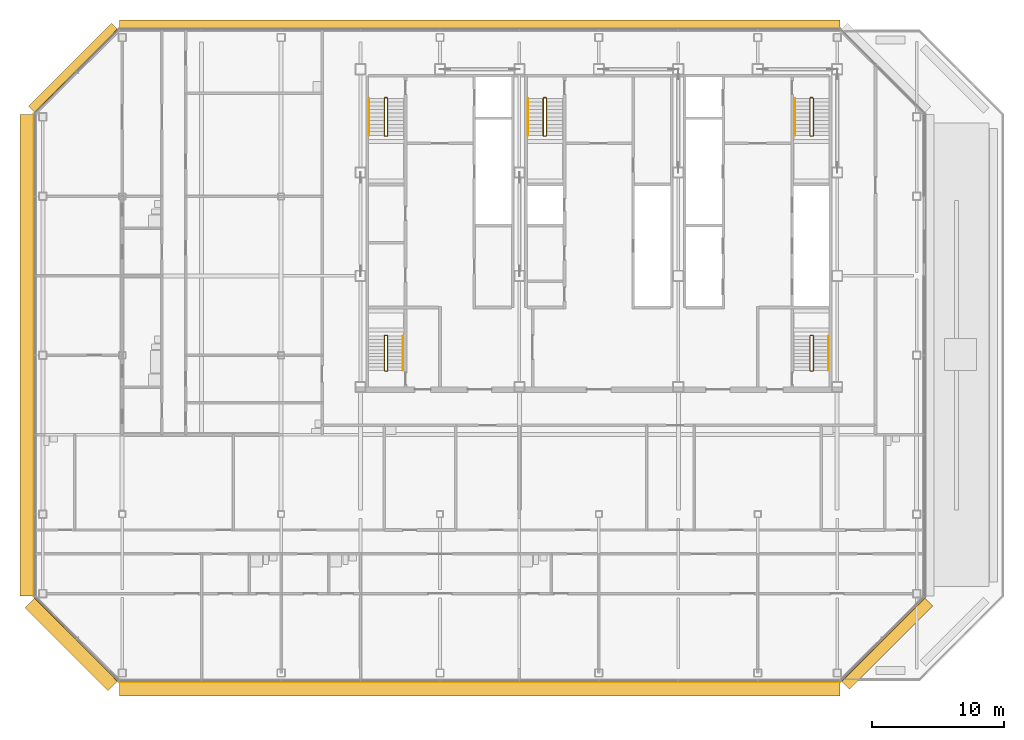
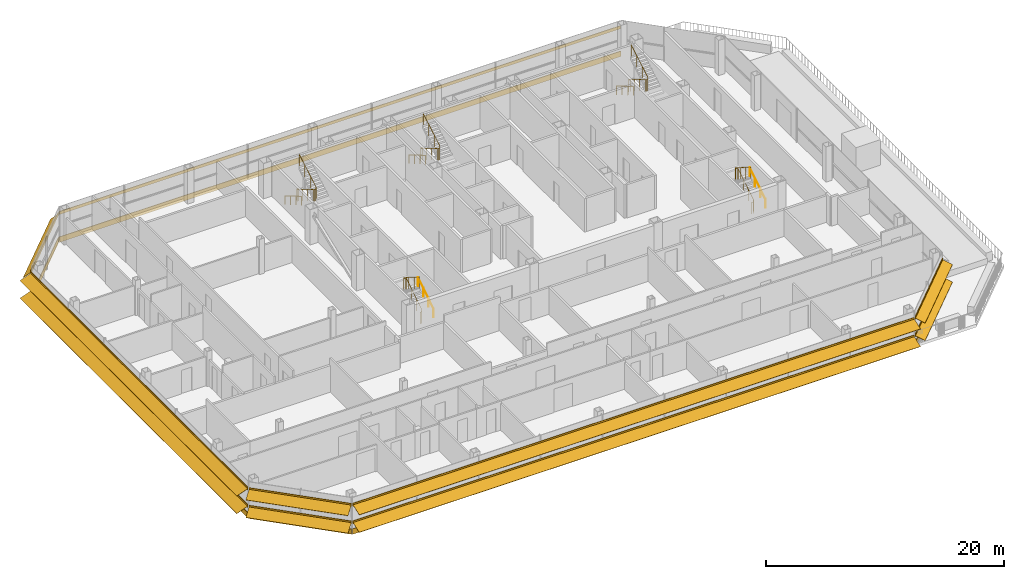
# One storey, part 25 of 28: 10 railings, 6 coverings, 6 shading devices.
"""IFC4 building model written with IfcOpenShell, lengths in metres."""

from ifc_helpers import new_model, si_unit, direction, frame, origin, origin_2d, place, context, subcontext, project, spatial, polyline, circle, outline, composite_profile, extrude, material, layer, layer_set, type_object, element, save


model = new_model("IFC4")

# Units and contexts
model_context = context("Model", 3, precision=1e-05, world=origin(), true_north=direction((0.0, 1.0)))
body_context = subcontext(model_context, "Body", "Model", "MODEL_VIEW")
ifc_project = project(units=[si_unit("LENGTHUNIT", "METRE"), si_unit("AREAUNIT", "SQUARE_METRE"), si_unit("VOLUMEUNIT", "CUBIC_METRE"), si_unit("PLANEANGLEUNIT", "RADIAN"), si_unit("MASSUNIT", "GRAM", prefix="KILO")], contexts=[model_context])

# Site, building, storey
site_placement = place(None, origin())
site = spatial("IfcSite", under=ifc_project, at=site_placement, CompositionType="ELEMENT")
building_placement = place(site_placement, origin())
building = spatial("IfcBuilding", under=site, at=building_placement, Name="Sorahane Residences", CompositionType="ELEMENT")
storey_placement = place(building_placement, frame((0.0, 0.0, 290.800048828125)))
storey = spatial("IfcBuildingStorey", under=building, at=storey_placement, Name="L68", CompositionType="ELEMENT", Elevation=290.800048828125)

# Shading devices
ifc_material_1 = material(Name="Terracotta anodised aluminium", Category="masonry")
shading_device_type_1 = type_object("IfcShadingDeviceType", Name="Louvre sunshade blade N terracotta aluminium 700", PredefinedType="JALOUSIE", material=ifc_material_1)
shading_device_1_placement = place(storey_placement, frame((42.198486328125, 48.60009765625, 2.699951171875), z_axis=(-1.0, 0.0, 0.0), x_axis=(0.0, -1.0, 0.0)))
element("IfcShadingDevice", 1, at=shading_device_1_placement, inside=storey, type_object=shading_device_type_1, Name="Louvre sunshade blade bank N L68 N1", PredefinedType="JALOUSIE", context=body_context, shape_type="SweptSolid", body=[
    extrude(outline(polyline([(-0.719970703125, -0.660888671875), (-0.719970703125, -0.69091796875), (-0.080078125, -0.072998046875), (-0.080078125, -0.14990234375), (-0.02001953125, -0.14990234375), (-0.02001953125, -0.014892578125), (-0.02001953125, 0.014892578125), (-0.02001953125, 0.14990234375), (-0.080078125, 0.14990234375), (-0.080078125, -0.04296875), (-0.719970703125, -0.660888671875)])), origin(), (0.0, 0.0, 1.0), 54.39697265625),
])
ifc_material_2 = material(Name="Terracotta anodised aluminium", Category="masonry")
shading_device_type_2 = type_object("IfcShadingDeviceType", Name="Louvre sunshade blade NW terracotta aluminium 700", PredefinedType="JALOUSIE", material=ifc_material_2)
shading_device_2_placement = place(storey_placement, frame((-12.283935546875, 48.564697265625, 2.699951171875), z_axis=(-0.707106781187, -0.707106781187, 0.0), x_axis=(0.707106781187, -0.707106781187, 0.0)))
element("IfcShadingDevice", 2, at=shading_device_2_placement, inside=storey, type_object=shading_device_type_2, Name="Louvre sunshade blade bank NW L68 NW1", PredefinedType="JALOUSIE", context=body_context, shape_type="SweptSolid", body=[
    extrude(outline(polyline([(-0.719970703125, -0.660888671875), (-0.719970703125, -0.69091796875), (-0.080078125, -0.072998046875), (-0.080078125, -0.14990234375), (-0.02001953125, -0.14990234375), (-0.02001953125, -0.014892578125), (-0.02001953125, 0.014892578125), (-0.02001953125, 0.14990234375), (-0.080078125, 0.14990234375), (-0.080078125, -0.04296875), (-0.719970703125, -0.660888671875)])), origin(), (0.0, 0.0, 1.0), 8.88232421875),
])
ifc_material_3 = material(Name="Terracotta anodised aluminium", Category="masonry")
shading_device_type_3 = type_object("IfcShadingDeviceType", Name="Louvre sunshade blade S terracotta aluminium 1100", PredefinedType="JALOUSIE", material=ifc_material_3)
shading_device_3_placement = place(storey_placement, frame((-12.198486328125, -0.60009765625, 0.89990234375), z_axis=(1.0, 0.0, 0.0), x_axis=(0.0, 1.0, 0.0)))
element("IfcShadingDevice", 3, at=shading_device_3_placement, inside=storey, type_object=shading_device_type_3, Name="Louvre sunshade blade bank S L68 S1", PredefinedType="JALOUSIE", context=body_context, shape_type="SweptSolid", body=[
    extrude(composite_profile([outline(polyline([(-1.1201171875, -0.385498046875), (-1.1201171875, -0.415283203125), (-0.080078125, -0.036865234375), (-0.080078125, -0.14990234375), (-0.02001953125, -0.14990234375), (-0.02001953125, -0.014892578125), (-0.02001953125, 0.014892578125), (-0.02001953125, 0.14990234375), (-0.080078125, 0.14990234375), (-0.080078125, -0.0068359375), (-1.1201171875, -0.385498046875)])), outline(polyline([(-1.1201171875, 1.41455078125), (-1.1201171875, 1.384521484375), (-0.080078125, 1.76318359375), (-0.080078125, 1.64990234375), (-0.02001953125, 1.64990234375), (-0.02001953125, 1.784912109375), (-0.02001953125, 1.81494140625), (-0.02001953125, 1.949951171875), (-0.080078125, 1.949951171875), (-0.080078125, 1.793212890625), (-1.1201171875, 1.41455078125)]))]), origin(), (0.0, 0.0, 1.0), 54.39697265625),
])
ifc_material_4 = material(Name="Terracotta anodised aluminium", Category="masonry")
shading_device_type_4 = type_object("IfcShadingDeviceType", Name="Louvre sunshade blade SE terracotta aluminium 900", PredefinedType="JALOUSIE", material=ifc_material_4)
shading_device_4_placement = place(storey_placement, frame((42.283935546875, -0.564697265625, 0.89990234375), z_axis=(0.707106781187, 0.707106781187, 0.0), x_axis=(-0.707106781187, 0.707106781187, 0.0)))
element("IfcShadingDevice", 4, at=shading_device_4_placement, inside=storey, type_object=shading_device_type_4, Name="Louvre sunshade blade bank SE L68 SE1", PredefinedType="JALOUSIE", context=body_context, shape_type="SweptSolid", body=[
    extrude(composite_profile([outline(polyline([(-0.919921875, -0.3486328125), (-0.919921875, -0.378662109375), (-0.080078125, -0.039306640625), (-0.080078125, -0.14990234375), (-0.02001953125, -0.14990234375), (-0.02001953125, -0.014892578125), (-0.02001953125, 0.014892578125), (-0.02001953125, 0.14990234375), (-0.080078125, 0.14990234375), (-0.080078125, -0.00927734375), (-0.919921875, -0.3486328125)])), outline(polyline([(-0.919921875, 1.451416015625), (-0.919921875, 1.42138671875), (-0.080078125, 1.7607421875), (-0.080078125, 1.64990234375), (-0.02001953125, 1.64990234375), (-0.02001953125, 1.784912109375), (-0.02001953125, 1.81494140625), (-0.02001953125, 1.949951171875), (-0.080078125, 1.949951171875), (-0.080078125, 1.790771484375), (-0.919921875, 1.451416015625)]))]), origin(), (0.0, 0.0, 1.0), 8.88232421875),
])
ifc_material_5 = material(Name="Terracotta anodised aluminium", Category="masonry")
shading_device_type_5 = type_object("IfcShadingDeviceType", Name="Louvre sunshade blade SW terracotta aluminium 1100", PredefinedType="JALOUSIE", material=ifc_material_5)
shading_device_5_placement = place(storey_placement, frame((-18.564697265625, 5.716064453125, 0.89990234375), z_axis=(0.707106781187, -0.707106781187, 0.0), x_axis=(0.707106781187, 0.707106781187, 0.0)))
element("IfcShadingDevice", 5, at=shading_device_5_placement, inside=storey, type_object=shading_device_type_5, Name="Louvre sunshade blade bank SW L68 SW1", PredefinedType="JALOUSIE", context=body_context, shape_type="SweptSolid", body=[
    extrude(composite_profile([outline(polyline([(-1.1201171875, -0.385498046875), (-1.1201171875, -0.415283203125), (-0.080078125, -0.036865234375), (-0.080078125, -0.14990234375), (-0.02001953125, -0.14990234375), (-0.02001953125, -0.014892578125), (-0.02001953125, 0.014892578125), (-0.02001953125, 0.14990234375), (-0.080078125, 0.14990234375), (-0.080078125, -0.0068359375), (-1.1201171875, -0.385498046875)])), outline(polyline([(-1.1201171875, 1.41455078125), (-1.1201171875, 1.384521484375), (-0.080078125, 1.76318359375), (-0.080078125, 1.64990234375), (-0.02001953125, 1.64990234375), (-0.02001953125, 1.784912109375), (-0.02001953125, 1.81494140625), (-0.02001953125, 1.949951171875), (-0.080078125, 1.949951171875), (-0.080078125, 1.793212890625), (-1.1201171875, 1.41455078125)]))]), origin(), (0.0, 0.0, 1.0), 8.88232421875),
])
ifc_material_6 = material(Name="Terracotta anodised aluminium", Category="masonry")
shading_device_type_6 = type_object("IfcShadingDeviceType", Name="Louvre sunshade blade W terracotta aluminium 1100", PredefinedType="JALOUSIE", material=ifc_material_6)
shading_device_6_placement = place(storey_placement, frame((-18.60009765625, 42.198486328125, 0.89990234375), z_axis=(0.0, -1.0, 0.0), x_axis=(1.0, 0.0, 0.0)))
element("IfcShadingDevice", 6, at=shading_device_6_placement, inside=storey, type_object=shading_device_type_6, Name="Louvre sunshade blade bank W L68 W1", PredefinedType="JALOUSIE", context=body_context, shape_type="SweptSolid", body=[
    extrude(composite_profile([outline(polyline([(-1.1201171875, -0.385498046875), (-1.1201171875, -0.415283203125), (-0.080078125, -0.036865234375), (-0.080078125, -0.14990234375), (-0.02001953125, -0.14990234375), (-0.02001953125, -0.014892578125), (-0.02001953125, 0.014892578125), (-0.02001953125, 0.14990234375), (-0.080078125, 0.14990234375), (-0.080078125, -0.0068359375), (-1.1201171875, -0.385498046875)])), outline(polyline([(-1.1201171875, 1.41455078125), (-1.1201171875, 1.384521484375), (-0.080078125, 1.76318359375), (-0.080078125, 1.64990234375), (-0.02001953125, 1.64990234375), (-0.02001953125, 1.784912109375), (-0.02001953125, 1.81494140625), (-0.02001953125, 1.949951171875), (-0.080078125, 1.949951171875), (-0.080078125, 1.793212890625), (-1.1201171875, 1.41455078125)]))]), origin(), (0.0, 0.0, 1.0), 36.39697265625),
])

# Coverings
ifc_material_7 = material(Name="White painted aluminium cladding", Category="aluminium")
ifc_layer = layer(ifc_material_7, 0.06005859375)
ifc_layer_set = layer_set([ifc_layer], Name="Slab edge fascia band white painted aluminium 550")
covering_type = type_object("IfcCoveringType", Name="Slab edge fascia band white painted aluminium 550", PredefinedType="CLADDING", material=ifc_layer_set)
covering_1_placement = place(storey_placement, frame((-12.228515625, -0.60009765625, -0.025146484375), z_axis=(1.0, 0.0, 0.0), x_axis=(0.0, 1.0, 0.0)))
element("IfcCovering", 7, at=covering_1_placement, inside=storey, type_object=covering_type, Name="Slab edge fascia white L68 S1", PredefinedType="CLADDING", context=body_context, shape_type="SweptSolid", body=[
    extrude(outline(polyline([(-0.02001953125, 0.27490234375), (-0.080078125, 0.27490234375), (-0.080078125, -0.27490234375), (-0.02001953125, -0.27490234375), (-0.02001953125, 0.27490234375)])), origin(), (0.0, 0.0, 1.0), 54.45703125),
])
covering_2_placement = place(storey_placement, frame((42.2626953125, -0.5859375, -0.025146484375), z_axis=(0.707106781187, 0.707106781187, 0.0), x_axis=(-0.707106781187, 0.707106781187, 0.0)))
element("IfcCovering", 8, at=covering_2_placement, inside=storey, type_object=covering_type, Name="Slab edge fascia white L68 SE1", PredefinedType="CLADDING", context=body_context, shape_type="SweptSolid", body=[
    extrude(outline(polyline([(-0.02001953125, 0.27490234375), (-0.080078125, 0.27490234375), (-0.080078125, -0.27490234375), (-0.02001953125, -0.27490234375), (-0.02001953125, 0.27490234375)])), origin(), (0.0, 0.0, 1.0), 8.9423828125),
])
covering_3_placement = place(storey_placement, frame((42.228515625, 48.60009765625, -0.025146484375), z_axis=(-1.0, 0.0, 0.0), x_axis=(0.0, -1.0, 0.0)))
element("IfcCovering", 9, at=covering_3_placement, inside=storey, type_object=covering_type, Name="Slab edge fascia white L68 N1", PredefinedType="CLADDING", context=body_context, shape_type="SweptSolid", body=[
    extrude(outline(polyline([(-0.02001953125, 0.27490234375), (-0.080078125, 0.27490234375), (-0.080078125, -0.27490234375), (-0.02001953125, -0.27490234375), (-0.02001953125, 0.27490234375)])), origin(), (0.0, 0.0, 1.0), 54.45703125),
])
covering_4_placement = place(storey_placement, frame((-12.2626953125, 48.5859375, -0.025146484375), z_axis=(-0.707106781187, -0.707106781187, 0.0), x_axis=(0.707106781187, -0.707106781187, 0.0)))
element("IfcCovering", 10, at=covering_4_placement, inside=storey, type_object=covering_type, Name="Slab edge fascia white L68 NW1", PredefinedType="CLADDING", context=body_context, shape_type="SweptSolid", body=[
    extrude(outline(polyline([(-0.02001953125, 0.27490234375), (-0.080078125, 0.27490234375), (-0.080078125, -0.27490234375), (-0.02001953125, -0.27490234375), (-0.02001953125, 0.27490234375)])), origin(), (0.0, 0.0, 1.0), 8.9423828125),
])
covering_5_placement = place(storey_placement, frame((-18.60009765625, 42.228515625, -0.025146484375), z_axis=(0.0, -1.0, 0.0), x_axis=(1.0, 0.0, 0.0)))
element("IfcCovering", 11, at=covering_5_placement, inside=storey, type_object=covering_type, Name="Slab edge fascia white L68 W1", PredefinedType="CLADDING", context=body_context, shape_type="SweptSolid", body=[
    extrude(outline(polyline([(-0.02001953125, 0.27490234375), (-0.080078125, 0.27490234375), (-0.080078125, -0.27490234375), (-0.02001953125, -0.27490234375), (-0.02001953125, 0.27490234375)])), origin(), (0.0, 0.0, 1.0), 36.45703125),
])
covering_6_placement = place(storey_placement, frame((-18.5859375, 5.7373046875, -0.025146484375), z_axis=(0.707106781187, -0.707106781187, 0.0), x_axis=(0.707106781187, 0.707106781187, 0.0)))
element("IfcCovering", 12, at=covering_6_placement, inside=storey, type_object=covering_type, Name="Slab edge fascia white L68 SW1", PredefinedType="CLADDING", context=body_context, shape_type="SweptSolid", body=[
    extrude(outline(polyline([(-0.02001953125, 0.27490234375), (-0.080078125, 0.27490234375), (-0.080078125, -0.27490234375), (-0.02001953125, -0.27490234375), (-0.02001953125, 0.27490234375)])), origin(), (0.0, 0.0, 1.0), 8.9423828125),
])

# Railings
ifc_material_8 = material(Name="Steel Q355B", Category="steel")
railing_type_1 = type_object("IfcRailingType", Name="Stair guard 1200 Steel Q355B", PredefinedType="GUARDRAIL", material=ifc_material_8)
railing_1_placement = place(storey_placement, frame((8.0, 43.449951171875, 0.0)))
element("IfcRailing", 13, at=railing_1_placement, inside=storey, type_object=railing_type_1, Name="L68 S1 stair guard 1", PredefinedType="GUARDRAIL", context=body_context, shape_type="SweptSolid", body=[
    extrude(circle(Radius=0.02392578125, at=origin_2d()), frame((0.0, 0.0, 1.17578125), z_axis=(-1.0, 0.0, 0.0), x_axis=(0.0, -1.0, 0.0)), (0.0, 0.0, 1.0), 0.14990234375),
    extrude(circle(Radius=0.02392578125, at=origin_2d()), frame((-0.14990234375, 0.0, 1.17578125), z_axis=(-0.280808744504, -0.280808744504, 0.917765164963), x_axis=(0.707106781187, -0.707106781187, 0.0)), (0.0, 0.0, 1.0), 0.17822265625),
    extrude(circle(Radius=0.02392578125, at=origin_2d()), frame((-0.199951171875, -0.050048828125, 1.33935546875), z_axis=(0.0, -0.863341702679, 0.504619762213), x_axis=(1.0, 0.0, 0.0)), (0.0, 0.0, 1.0), 3.242919921875),
    extrude(circle(Radius=0.02392578125, at=origin_2d()), frame((-0.199951171875, -2.849853515625, 2.97607421875), z_axis=(0.707106781187, -0.707106781187, 0.0), x_axis=(0.707106781187, 0.707106781187, 0.0)), (0.0, 0.0, 1.0), 0.07080078125),
    extrude(circle(Radius=0.02392578125, at=origin_2d()), frame((-0.14990234375, -2.89990234375, 2.97607421875), z_axis=(1.0, 0.0, 0.0), x_axis=(0.0, 1.0, 0.0)), (0.0, 0.0, 1.0), 0.14990234375),
    extrude(circle(Radius=0.02392578125, at=origin_2d()), frame((0.0, -2.89990234375, 2.97607421875), z_axis=(0.280808744504, 0.280808744504, 0.917765164963), x_axis=(-0.707106781187, 0.707106781187, 0.0)), (0.0, 0.0, 1.0), 0.17822265625),
    extrude(circle(Radius=0.02392578125, at=origin_2d()), frame((0.050048828125, -2.849853515625, 3.1396484375), z_axis=(0.0, 0.863374499697, 0.504563646405), x_axis=(-1.0, 0.0, 0.0)), (0.0, 0.0, 1.0), 3.242919921875),
    extrude(circle(Radius=0.02099609375, at=origin_2d()), origin(), (0.0, 0.0, 1.0), 1.15185546875),
    extrude(circle(Radius=0.02099609375, at=origin_2d()), frame((-0.14990234375, 0.0, 0.0)), (0.0, 0.0, 1.0), 1.15185546875),
    extrude(circle(Radius=0.02099609375, at=origin_2d()), frame((-0.199951171875, -0.050048828125, 0.16357421875)), (0.0, 0.0, 1.0), 1.15185546875),
    extrude(circle(Radius=0.02099609375, at=origin_2d()), frame((-0.199951171875, -0.9833984375, 0.708984375)), (0.0, 0.0, 1.0), 1.15185546875),
    extrude(circle(Radius=0.02099609375, at=origin_2d()), frame((-0.199951171875, -1.91650390625, 1.254638671875)), (0.0, 0.0, 1.0), 1.15185546875),
    extrude(circle(Radius=0.02099609375, at=origin_2d()), frame((-0.199951171875, -2.849853515625, 1.800048828125)), (0.0, 0.0, 1.0), 1.15185546875),
    extrude(circle(Radius=0.02099609375, at=origin_2d()), frame((-0.14990234375, -2.89990234375, 1.800048828125)), (0.0, 0.0, 1.0), 1.15185546875),
    extrude(circle(Radius=0.02099609375, at=origin_2d()), frame((0.0, -2.89990234375, 1.800048828125)), (0.0, 0.0, 1.0), 1.15185546875),
    extrude(circle(Radius=0.02099609375, at=origin_2d()), frame((0.050048828125, -2.849853515625, 1.963623046875)), (0.0, 0.0, 1.0), 1.15185546875),
    extrude(circle(Radius=0.02099609375, at=origin_2d()), frame((0.050048828125, -1.91650390625, 2.509033203125)), (0.0, 0.0, 1.0), 1.15185546875),
    extrude(circle(Radius=0.02099609375, at=origin_2d()), frame((0.050048828125, -0.9833984375, 3.054443359375)), (0.0, 0.0, 1.0), 1.15185546875),
    extrude(circle(Radius=0.02099609375, at=origin_2d()), frame((0.050048828125, -0.050048828125, 3.599853515625)), (0.0, 0.0, 1.0), 1.15185546875),
])
railing_2_placement = place(storey_placement, frame((40.14990234375, 43.449951171875, 0.0)))
element("IfcRailing", 14, at=railing_2_placement, inside=storey, type_object=railing_type_1, Name="L68 S2 stair guard 1", PredefinedType="GUARDRAIL", context=body_context, shape_type="SweptSolid", body=[
    extrude(circle(Radius=0.02392578125, at=origin_2d()), frame((0.0, 0.0, 1.17578125), z_axis=(-1.0, 0.0, 0.0), x_axis=(0.0, -1.0, 0.0)), (0.0, 0.0, 1.0), 0.14990234375),
    extrude(circle(Radius=0.02392578125, at=origin_2d()), frame((-0.14990234375, 0.0, 1.17578125), z_axis=(-0.280808744504, -0.280808744504, 0.917765164963), x_axis=(0.707106781187, -0.707106781187, 0.0)), (0.0, 0.0, 1.0), 0.17822265625),
    extrude(circle(Radius=0.02392578125, at=origin_2d()), frame((-0.199951171875, -0.050048828125, 1.33935546875), z_axis=(0.0, -0.863341702679, 0.504619762213), x_axis=(1.0, 0.0, 0.0)), (0.0, 0.0, 1.0), 3.242919921875),
    extrude(circle(Radius=0.02392578125, at=origin_2d()), frame((-0.199951171875, -2.849853515625, 2.97607421875), z_axis=(0.707106781187, -0.707106781187, 0.0), x_axis=(0.707106781187, 0.707106781187, 0.0)), (0.0, 0.0, 1.0), 0.07080078125),
    extrude(circle(Radius=0.02392578125, at=origin_2d()), frame((-0.14990234375, -2.89990234375, 2.97607421875), z_axis=(1.0, 0.0, 0.0), x_axis=(0.0, 1.0, 0.0)), (0.0, 0.0, 1.0), 0.14990234375),
    extrude(circle(Radius=0.02392578125, at=origin_2d()), frame((0.0, -2.89990234375, 2.97607421875), z_axis=(0.280808744504, 0.280808744504, 0.917765164963), x_axis=(-0.707106781187, 0.707106781187, 0.0)), (0.0, 0.0, 1.0), 0.17822265625),
    extrude(circle(Radius=0.02392578125, at=origin_2d()), frame((0.050048828125, -2.849853515625, 3.1396484375), z_axis=(0.0, 0.863374499697, 0.504563646405), x_axis=(-1.0, 0.0, 0.0)), (0.0, 0.0, 1.0), 3.242919921875),
    extrude(circle(Radius=0.02099609375, at=origin_2d()), origin(), (0.0, 0.0, 1.0), 1.15185546875),
    extrude(circle(Radius=0.02099609375, at=origin_2d()), frame((-0.14990234375, 0.0, 0.0)), (0.0, 0.0, 1.0), 1.15185546875),
    extrude(circle(Radius=0.02099609375, at=origin_2d()), frame((-0.199951171875, -0.050048828125, 0.16357421875)), (0.0, 0.0, 1.0), 1.15185546875),
    extrude(circle(Radius=0.02099609375, at=origin_2d()), frame((-0.199951171875, -0.9833984375, 0.708984375)), (0.0, 0.0, 1.0), 1.15185546875),
    extrude(circle(Radius=0.02099609375, at=origin_2d()), frame((-0.199951171875, -1.91650390625, 1.254638671875)), (0.0, 0.0, 1.0), 1.15185546875),
    extrude(circle(Radius=0.02099609375, at=origin_2d()), frame((-0.199951171875, -2.849853515625, 1.800048828125)), (0.0, 0.0, 1.0), 1.15185546875),
    extrude(circle(Radius=0.02099609375, at=origin_2d()), frame((-0.14990234375, -2.89990234375, 1.800048828125)), (0.0, 0.0, 1.0), 1.15185546875),
    extrude(circle(Radius=0.02099609375, at=origin_2d()), frame((0.0, -2.89990234375, 1.800048828125)), (0.0, 0.0, 1.0), 1.15185546875),
    extrude(circle(Radius=0.02099609375, at=origin_2d()), frame((0.050048828125, -2.849853515625, 1.963623046875)), (0.0, 0.0, 1.0), 1.15185546875),
    extrude(circle(Radius=0.02099609375, at=origin_2d()), frame((0.050048828125, -1.91650390625, 2.509033203125)), (0.0, 0.0, 1.0), 1.15185546875),
    extrude(circle(Radius=0.02099609375, at=origin_2d()), frame((0.050048828125, -0.9833984375, 3.054443359375)), (0.0, 0.0, 1.0), 1.15185546875),
    extrude(circle(Radius=0.02099609375, at=origin_2d()), frame((0.050048828125, -0.050048828125, 3.599853515625)), (0.0, 0.0, 1.0), 1.15185546875),
])
railing_3_placement = place(storey_placement, frame((20.0, 43.449951171875, 0.0)))
element("IfcRailing", 15, at=railing_3_placement, inside=storey, type_object=railing_type_1, Name="L68 S3 stair guard 1", PredefinedType="GUARDRAIL", context=body_context, shape_type="SweptSolid", body=[
    extrude(circle(Radius=0.02392578125, at=origin_2d()), frame((0.0, 0.0, 1.17578125), z_axis=(-1.0, 0.0, 0.0), x_axis=(0.0, -1.0, 0.0)), (0.0, 0.0, 1.0), 0.14990234375),
    extrude(circle(Radius=0.02392578125, at=origin_2d()), frame((-0.14990234375, 0.0, 1.17578125), z_axis=(-0.280808744504, -0.280808744504, 0.917765164963), x_axis=(0.707106781187, -0.707106781187, 0.0)), (0.0, 0.0, 1.0), 0.17822265625),
    extrude(circle(Radius=0.02392578125, at=origin_2d()), frame((-0.199951171875, -0.050048828125, 1.33935546875), z_axis=(0.0, -0.863341702679, 0.504619762213), x_axis=(1.0, 0.0, 0.0)), (0.0, 0.0, 1.0), 3.242919921875),
    extrude(circle(Radius=0.02392578125, at=origin_2d()), frame((-0.199951171875, -2.849853515625, 2.97607421875), z_axis=(0.707106781187, -0.707106781187, 0.0), x_axis=(0.707106781187, 0.707106781187, 0.0)), (0.0, 0.0, 1.0), 0.07080078125),
    extrude(circle(Radius=0.02392578125, at=origin_2d()), frame((-0.14990234375, -2.89990234375, 2.97607421875), z_axis=(1.0, 0.0, 0.0), x_axis=(0.0, 1.0, 0.0)), (0.0, 0.0, 1.0), 0.14990234375),
    extrude(circle(Radius=0.02392578125, at=origin_2d()), frame((0.0, -2.89990234375, 2.97607421875), z_axis=(0.280808744504, 0.280808744504, 0.917765164963), x_axis=(-0.707106781187, 0.707106781187, 0.0)), (0.0, 0.0, 1.0), 0.17822265625),
    extrude(circle(Radius=0.02392578125, at=origin_2d()), frame((0.050048828125, -2.849853515625, 3.1396484375), z_axis=(0.0, 0.863374499697, 0.504563646405), x_axis=(-1.0, 0.0, 0.0)), (0.0, 0.0, 1.0), 3.242919921875),
    extrude(circle(Radius=0.02099609375, at=origin_2d()), origin(), (0.0, 0.0, 1.0), 1.15185546875),
    extrude(circle(Radius=0.02099609375, at=origin_2d()), frame((-0.14990234375, 0.0, 0.0)), (0.0, 0.0, 1.0), 1.15185546875),
    extrude(circle(Radius=0.02099609375, at=origin_2d()), frame((-0.199951171875, -0.050048828125, 0.16357421875)), (0.0, 0.0, 1.0), 1.15185546875),
    extrude(circle(Radius=0.02099609375, at=origin_2d()), frame((-0.199951171875, -0.9833984375, 0.708984375)), (0.0, 0.0, 1.0), 1.15185546875),
    extrude(circle(Radius=0.02099609375, at=origin_2d()), frame((-0.199951171875, -1.91650390625, 1.254638671875)), (0.0, 0.0, 1.0), 1.15185546875),
    extrude(circle(Radius=0.02099609375, at=origin_2d()), frame((-0.199951171875, -2.849853515625, 1.800048828125)), (0.0, 0.0, 1.0), 1.15185546875),
    extrude(circle(Radius=0.02099609375, at=origin_2d()), frame((-0.14990234375, -2.89990234375, 1.800048828125)), (0.0, 0.0, 1.0), 1.15185546875),
    extrude(circle(Radius=0.02099609375, at=origin_2d()), frame((0.0, -2.89990234375, 1.800048828125)), (0.0, 0.0, 1.0), 1.15185546875),
    extrude(circle(Radius=0.02099609375, at=origin_2d()), frame((0.050048828125, -2.849853515625, 1.963623046875)), (0.0, 0.0, 1.0), 1.15185546875),
    extrude(circle(Radius=0.02099609375, at=origin_2d()), frame((0.050048828125, -1.91650390625, 2.509033203125)), (0.0, 0.0, 1.0), 1.15185546875),
    extrude(circle(Radius=0.02099609375, at=origin_2d()), frame((0.050048828125, -0.9833984375, 3.054443359375)), (0.0, 0.0, 1.0), 1.15185546875),
    extrude(circle(Radius=0.02099609375, at=origin_2d()), frame((0.050048828125, -0.050048828125, 3.599853515625)), (0.0, 0.0, 1.0), 1.15185546875),
])
railing_4_placement = place(storey_placement, frame((7.85009765625, 22.800048828125, 0.0)))
element("IfcRailing", 16, at=railing_4_placement, inside=storey, type_object=railing_type_1, Name="L68 S4 stair guard 1", PredefinedType="GUARDRAIL", context=body_context, shape_type="SweptSolid", body=[
    extrude(circle(Radius=0.02392578125, at=origin_2d()), frame((0.0, 0.0, 1.17578125), z_axis=(1.0, 0.0, 0.0), x_axis=(0.0, 1.0, 0.0)), (0.0, 0.0, 1.0), 0.14990234375),
    extrude(circle(Radius=0.02392578125, at=origin_2d()), frame((0.14990234375, 0.0, 1.17578125), z_axis=(0.280808744504, 0.280808744504, 0.917765164963), x_axis=(-0.707106781187, 0.707106781187, 0.0)), (0.0, 0.0, 1.0), 0.17822265625),
    extrude(circle(Radius=0.02392578125, at=origin_2d()), frame((0.199951171875, 0.050048828125, 1.33935546875), z_axis=(0.0, 0.846301844409, 0.532703658848), x_axis=(-1.0, 0.0, 0.0)), (0.0, 0.0, 1.0), 3.072021484375),
    extrude(circle(Radius=0.02392578125, at=origin_2d()), frame((0.199951171875, 2.64990234375, 2.97607421875), z_axis=(-0.707106781187, 0.707106781187, 0.0), x_axis=(-0.707106781187, -0.707106781187, 0.0)), (0.0, 0.0, 1.0), 0.07080078125),
    extrude(circle(Radius=0.02392578125, at=origin_2d()), frame((0.14990234375, 2.699951171875, 2.97607421875), z_axis=(-1.0, 0.0, 0.0), x_axis=(0.0, -1.0, 0.0)), (0.0, 0.0, 1.0), 0.14990234375),
    extrude(circle(Radius=0.02392578125, at=origin_2d()), frame((0.0, 2.699951171875, 2.97607421875), z_axis=(-0.280808744504, -0.280808744504, 0.917765164963), x_axis=(0.707106781187, -0.707106781187, 0.0)), (0.0, 0.0, 1.0), 0.17822265625),
    extrude(circle(Radius=0.02392578125, at=origin_2d()), frame((-0.050048828125, 2.64990234375, 3.1396484375), z_axis=(0.0, -0.846337672412, 0.532646734952), x_axis=(1.0, 0.0, 0.0)), (0.0, 0.0, 1.0), 3.07177734375),
    extrude(circle(Radius=0.02099609375, at=origin_2d()), origin(), (0.0, 0.0, 1.0), 1.15185546875),
    extrude(circle(Radius=0.02099609375, at=origin_2d()), frame((0.14990234375, 0.0, 0.0)), (0.0, 0.0, 1.0), 1.15185546875),
    extrude(circle(Radius=0.02099609375, at=origin_2d()), frame((0.199951171875, 0.050048828125, 0.16357421875)), (0.0, 0.0, 1.0), 1.15185546875),
    extrude(circle(Radius=0.02099609375, at=origin_2d()), frame((0.199951171875, 0.916748046875, 0.708984375)), (0.0, 0.0, 1.0), 1.15185546875),
    extrude(circle(Radius=0.02099609375, at=origin_2d()), frame((0.199951171875, 1.783203125, 1.254638671875)), (0.0, 0.0, 1.0), 1.15185546875),
    extrude(circle(Radius=0.02099609375, at=origin_2d()), frame((0.199951171875, 2.64990234375, 1.800048828125)), (0.0, 0.0, 1.0), 1.15185546875),
    extrude(circle(Radius=0.02099609375, at=origin_2d()), frame((0.14990234375, 2.699951171875, 1.800048828125)), (0.0, 0.0, 1.0), 1.15185546875),
    extrude(circle(Radius=0.02099609375, at=origin_2d()), frame((0.0, 2.699951171875, 1.800048828125)), (0.0, 0.0, 1.0), 1.15185546875),
    extrude(circle(Radius=0.02099609375, at=origin_2d()), frame((-0.050048828125, 2.64990234375, 1.963623046875)), (0.0, 0.0, 1.0), 1.15185546875),
    extrude(circle(Radius=0.02099609375, at=origin_2d()), frame((-0.050048828125, 1.783203125, 2.509033203125)), (0.0, 0.0, 1.0), 1.15185546875),
    extrude(circle(Radius=0.02099609375, at=origin_2d()), frame((-0.050048828125, 0.916748046875, 3.054443359375)), (0.0, 0.0, 1.0), 1.15185546875),
    extrude(circle(Radius=0.02099609375, at=origin_2d()), frame((-0.050048828125, 0.050048828125, 3.599853515625)), (0.0, 0.0, 1.0), 1.15185546875),
])
railing_5_placement = place(storey_placement, frame((40.0, 22.800048828125, 0.0)))
element("IfcRailing", 17, at=railing_5_placement, inside=storey, type_object=railing_type_1, Name="L68 S5 stair guard 1", PredefinedType="GUARDRAIL", context=body_context, shape_type="SweptSolid", body=[
    extrude(circle(Radius=0.02392578125, at=origin_2d()), frame((0.0, 0.0, 1.17578125), z_axis=(1.0, 0.0, 0.0), x_axis=(0.0, 1.0, 0.0)), (0.0, 0.0, 1.0), 0.14990234375),
    extrude(circle(Radius=0.02392578125, at=origin_2d()), frame((0.14990234375, 0.0, 1.17578125), z_axis=(0.280808744504, 0.280808744504, 0.917765164963), x_axis=(-0.707106781187, 0.707106781187, 0.0)), (0.0, 0.0, 1.0), 0.17822265625),
    extrude(circle(Radius=0.02392578125, at=origin_2d()), frame((0.199951171875, 0.050048828125, 1.33935546875), z_axis=(0.0, 0.846301844409, 0.532703658848), x_axis=(-1.0, 0.0, 0.0)), (0.0, 0.0, 1.0), 3.072021484375),
    extrude(circle(Radius=0.02392578125, at=origin_2d()), frame((0.199951171875, 2.64990234375, 2.97607421875), z_axis=(-0.707106781187, 0.707106781187, 0.0), x_axis=(-0.707106781187, -0.707106781187, 0.0)), (0.0, 0.0, 1.0), 0.07080078125),
    extrude(circle(Radius=0.02392578125, at=origin_2d()), frame((0.14990234375, 2.699951171875, 2.97607421875), z_axis=(-1.0, 0.0, 0.0), x_axis=(0.0, -1.0, 0.0)), (0.0, 0.0, 1.0), 0.14990234375),
    extrude(circle(Radius=0.02392578125, at=origin_2d()), frame((0.0, 2.699951171875, 2.97607421875), z_axis=(-0.280808744504, -0.280808744504, 0.917765164963), x_axis=(0.707106781187, -0.707106781187, 0.0)), (0.0, 0.0, 1.0), 0.17822265625),
    extrude(circle(Radius=0.02392578125, at=origin_2d()), frame((-0.050048828125, 2.64990234375, 3.1396484375), z_axis=(0.0, -0.846337672412, 0.532646734952), x_axis=(1.0, 0.0, 0.0)), (0.0, 0.0, 1.0), 3.07177734375),
    extrude(circle(Radius=0.02099609375, at=origin_2d()), origin(), (0.0, 0.0, 1.0), 1.15185546875),
    extrude(circle(Radius=0.02099609375, at=origin_2d()), frame((0.14990234375, 0.0, 0.0)), (0.0, 0.0, 1.0), 1.15185546875),
    extrude(circle(Radius=0.02099609375, at=origin_2d()), frame((0.199951171875, 0.050048828125, 0.16357421875)), (0.0, 0.0, 1.0), 1.15185546875),
    extrude(circle(Radius=0.02099609375, at=origin_2d()), frame((0.199951171875, 0.916748046875, 0.708984375)), (0.0, 0.0, 1.0), 1.15185546875),
    extrude(circle(Radius=0.02099609375, at=origin_2d()), frame((0.199951171875, 1.783203125, 1.254638671875)), (0.0, 0.0, 1.0), 1.15185546875),
    extrude(circle(Radius=0.02099609375, at=origin_2d()), frame((0.199951171875, 2.64990234375, 1.800048828125)), (0.0, 0.0, 1.0), 1.15185546875),
    extrude(circle(Radius=0.02099609375, at=origin_2d()), frame((0.14990234375, 2.699951171875, 1.800048828125)), (0.0, 0.0, 1.0), 1.15185546875),
    extrude(circle(Radius=0.02099609375, at=origin_2d()), frame((0.0, 2.699951171875, 1.800048828125)), (0.0, 0.0, 1.0), 1.15185546875),
    extrude(circle(Radius=0.02099609375, at=origin_2d()), frame((-0.050048828125, 2.64990234375, 1.963623046875)), (0.0, 0.0, 1.0), 1.15185546875),
    extrude(circle(Radius=0.02099609375, at=origin_2d()), frame((-0.050048828125, 1.783203125, 2.509033203125)), (0.0, 0.0, 1.0), 1.15185546875),
    extrude(circle(Radius=0.02099609375, at=origin_2d()), frame((-0.050048828125, 0.916748046875, 3.054443359375)), (0.0, 0.0, 1.0), 1.15185546875),
    extrude(circle(Radius=0.02099609375, at=origin_2d()), frame((-0.050048828125, 0.050048828125, 3.599853515625)), (0.0, 0.0, 1.0), 1.15185546875),
])
ifc_material_9 = material(Name="Steel Q355B", Category="steel")
railing_type_2 = type_object("IfcRailingType", Name="Stair handrail 900 Steel Q355B", PredefinedType="HANDRAIL", material=ifc_material_9)
for number, where, name in (
    (18, (6.64990234375, 43.39990234375, 0.16357421875), "L68 S1 stair handrail 1"),
    (19, (38.800048828125, 43.39990234375, 0.16357421875), "L68 S2 stair handrail 1"),
    (20, (18.64990234375, 43.39990234375, 0.16357421875), "L68 S3 stair handrail 1"),
):
    element("IfcRailing", number, at=place(storey_placement, frame(where)), inside=storey, type_object=railing_type_2, Name=name, PredefinedType="HANDRAIL", context=body_context, shape_type="SweptSolid", body=[
        extrude(circle(Radius=0.02392578125, at=origin_2d()), frame((0.0, 0.0, 0.8759765625), z_axis=(0.0, -0.863341702679, 0.504619762213), x_axis=(1.0, 0.0, 0.0)), (0.0, 0.0, 1.0), 3.242919921875),
        extrude(circle(Radius=0.02099609375, at=origin_2d()), origin(), (0.0, 0.0, 1.0), 0.851806640625),
        extrude(circle(Radius=0.02099609375, at=origin_2d()), frame((0.0, -0.933349609375, 0.54541015625)), (0.0, 0.0, 1.0), 0.851806640625),
        extrude(circle(Radius=0.02099609375, at=origin_2d()), frame((0.0, -1.866455078125, 1.091064453125)), (0.0, 0.0, 1.0), 0.851806640625),
        extrude(circle(Radius=0.02099609375, at=origin_2d()), frame((0.0, -2.7998046875, 1.636474609375)), (0.0, 0.0, 1.0), 0.851806640625),
    ])
for number, where, name in (
    (21, (9.199951171875, 22.85009765625, 0.16357421875), "L68 S4 stair handrail 1"),
    (22, (41.35009765625, 22.85009765625, 0.16357421875), "L68 S5 stair handrail 1"),
):
    element("IfcRailing", number, at=place(storey_placement, frame(where)), inside=storey, type_object=railing_type_2, Name=name, PredefinedType="HANDRAIL", context=body_context, shape_type="SweptSolid", body=[
        extrude(circle(Radius=0.02392578125, at=origin_2d()), frame((0.0, 0.0, 0.8759765625), z_axis=(0.0, 0.846301844409, 0.532703658848), x_axis=(-1.0, 0.0, 0.0)), (0.0, 0.0, 1.0), 3.072021484375),
        extrude(circle(Radius=0.02099609375, at=origin_2d()), origin(), (0.0, 0.0, 1.0), 0.851806640625),
        extrude(circle(Radius=0.02099609375, at=origin_2d()), frame((0.0, 0.86669921875, 0.54541015625)), (0.0, 0.0, 1.0), 0.851806640625),
        extrude(circle(Radius=0.02099609375, at=origin_2d()), frame((0.0, 1.733154296875, 1.091064453125)), (0.0, 0.0, 1.0), 0.851806640625),
        extrude(circle(Radius=0.02099609375, at=origin_2d()), frame((0.0, 2.599853515625, 1.636474609375)), (0.0, 0.0, 1.0), 0.851806640625),
    ])

save(model, "model.ifc")
